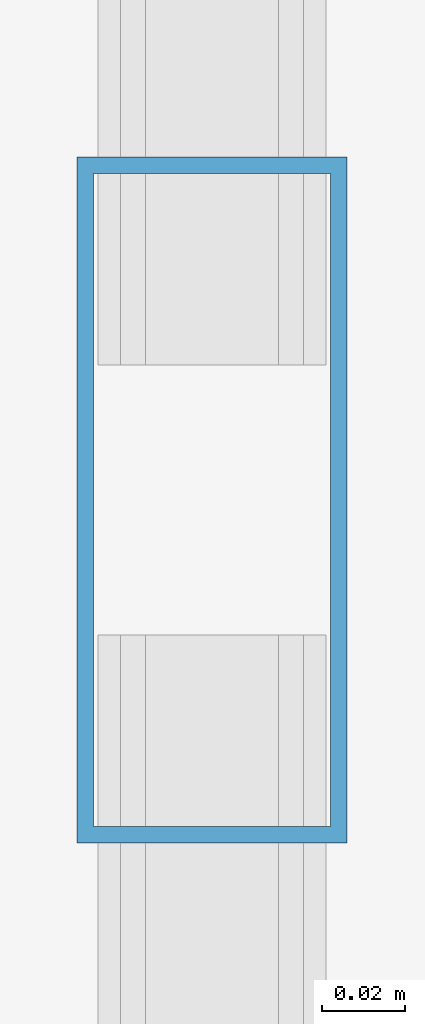
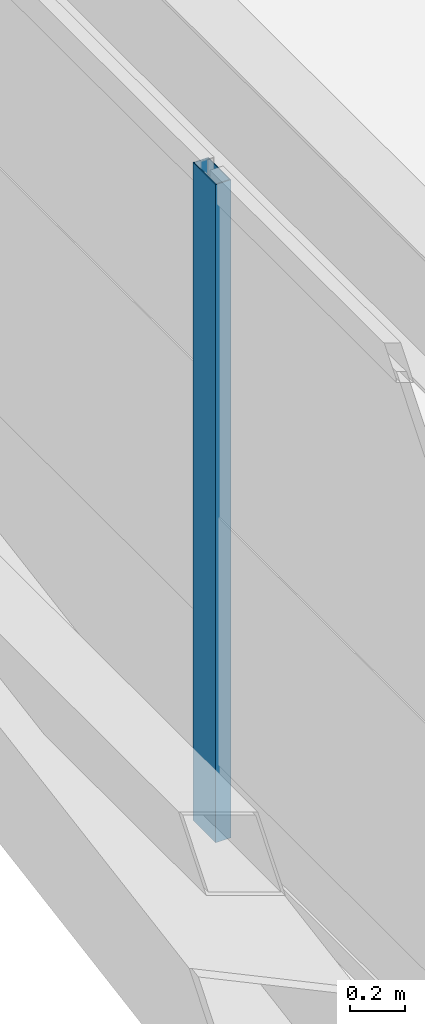
# One storey, part 8 of 58: 1 member, 1 element without a shape of its own.
"""IFC4 building model written with IfcOpenShell, lengths in metres."""

import ifcopenshell
import ifcopenshell.guid

model = None  # the IFC model being written
_history = None  # IfcOwnerHistory: only IFC2X3 demands one
_inside = {}  # id of a spatial element -> (the spatial element, [elements in it])
_under = {}  # id of a project, library or spatial element -> (it, [spatial elements below it])
_declared = {}  # id of a project -> (the project, [libraries it declares])
_typed = {}  # id of a type object -> (the type object, [elements of that type])
_made_of = {}  # id of a material, layer set ... -> (it, [elements and type objects made of it])


def new_model(schema):
    """Start an empty IFC model of exactly this schema.

    Asked for "IFC4X3", IfcOpenShell would pick the latest addendum, in which some entities
    have other attributes; the version numbers below select the first issue.
    IFC2X3 requires an IfcOwnerHistory on every rooted entity: one is made here for all.
    """
    global model, _history
    if schema == "IFC4X3":
        model = ifcopenshell.file(schema_version=(4, 3, 0, 0))
    else:
        model = ifcopenshell.file(schema=schema)
    _inside.clear()
    _under.clear()
    _declared.clear()
    _typed.clear()
    _made_of.clear()
    _history = None
    if model.schema == "IFC2X3":
        org = make("IfcOrganization", Name="unknown")
        user = make(
            "IfcPersonAndOrganization",
            ThePerson=make("IfcPerson", FamilyName="unknown"),
            TheOrganization=org,
        )
        app = make(
            "IfcApplication",
            ApplicationDeveloper=org,
            Version="unknown",
            ApplicationFullName="unknown",
            ApplicationIdentifier="unknown",
        )
        _history = make(
            "IfcOwnerHistory",
            OwningUser=user,
            OwningApplication=app,
            ChangeAction="ADDED",
            CreationDate=0,
        )
    return model


def make(cls, **values):
    """One entity of the class cls with the attributes given. An attribute that is None is left unset."""
    return model.create_entity(
        cls, **{name: value for name, value in values.items() if value is not None}
    )


def rooted(cls, **values):
    """An entity with a GlobalId (a new one), such as an element, a storey or a relation."""
    return make(cls, GlobalId=ifcopenshell.guid.new(), OwnerHistory=_history, **values)


def si_unit(unit_type, name, prefix=None):
    """IfcSIUnit, for example si_unit("LENGTHUNIT", "METRE", prefix="MILLI")."""
    return make("IfcSIUnit", UnitType=unit_type, Prefix=prefix, Name=name)


def assignment(units):
    """IfcUnitAssignment: the units of a project."""
    return None if units is None else make("IfcUnitAssignment", Units=units)


def point(xyz):
    """IfcCartesianPoint."""
    return None if xyz is None else make("IfcCartesianPoint", Coordinates=xyz)


def direction(xyz):
    """IfcDirection."""
    return None if xyz is None else make("IfcDirection", DirectionRatios=xyz)


def frame(location, z_axis=None, x_axis=None):
    """IfcAxis2Placement3D, a coordinate frame: its origin and axes. An axis left out is left unset."""
    return make(
        "IfcAxis2Placement3D",
        Location=point(location),
        Axis=direction(z_axis),
        RefDirection=direction(x_axis),
    )


def frame_2d(location, x_axis=None):
    """IfcAxis2Placement2D, a coordinate frame in the plane: its origin and x axis."""
    return make(
        "IfcAxis2Placement2D", Location=point(location), RefDirection=direction(x_axis)
    )


def origin():
    """The frame at (0, 0, 0) with its axes left unset."""
    return frame((0.0, 0.0, 0.0))


def origin_2d():
    """The frame at (0, 0) in the plane with its x axis left unset."""
    return frame_2d((0.0, 0.0))


def place(relative_to, where):
    """IfcLocalPlacement: puts the frame where relative to a parent placement (None: the world)."""
    return make(
        "IfcLocalPlacement", PlacementRelTo=relative_to, RelativePlacement=where
    )


def context(
    kind, dimensions, precision=None, world=None, true_north=None, identifier=None
):
    """IfcGeometricRepresentationContext, for example the 3D "Model" context."""
    return make(
        "IfcGeometricRepresentationContext",
        ContextIdentifier=identifier,
        ContextType=kind,
        CoordinateSpaceDimension=dimensions,
        Precision=precision,
        WorldCoordinateSystem=world,
        TrueNorth=true_north,
    )


def subcontext(parent, identifier, kind, view, scale=None):
    """IfcGeometricRepresentationSubContext, for example "Body" below "Model"."""
    return make(
        "IfcGeometricRepresentationSubContext",
        ContextIdentifier=identifier,
        ContextType=kind,
        ParentContext=parent,
        TargetScale=scale,
        TargetView=view,
    )


def project(units=None, contexts=None):
    """IfcProject with its units and contexts."""
    return rooted(
        "IfcProject",
        Name="project",
        RepresentationContexts=contexts,
        UnitsInContext=assignment(units),
    )


def spatial(cls, under=None, at=None, **own):
    """A site, building, storey or space (cls), placed at a placement, below another one or the project."""
    s = rooted(cls, ObjectPlacement=at, **own)
    if under is not None:
        _under.setdefault(under.id(), (under, []))[1].append(s)
    return s


def profile(cls, at=None, kind="AREA", **sizes):
    """A parametric profile (cls). Its sizes go by their IFC names, for example OverallWidth=200.0."""
    return make(cls, ProfileType=kind, Position=at, **sizes)


def hollow_rectangle(**sizes):
    """IfcRectangleHollowProfileDef."""
    return profile("IfcRectangleHollowProfileDef", **sizes)


def extrude(swept, where, along, depth):
    """IfcExtrudedAreaSolid: the profile swept, set in the frame where, extruded along a direction by depth."""
    return make(
        "IfcExtrudedAreaSolid",
        SweptArea=swept,
        Position=where,
        ExtrudedDirection=direction(along),
        Depth=depth,
    )


def shape(context_of_items, identifier, shape_type, items):
    """IfcShapeRepresentation: the items that make up one representation, for example the "Body"."""
    return make(
        "IfcShapeRepresentation",
        ContextOfItems=context_of_items,
        RepresentationIdentifier=identifier,
        RepresentationType=shape_type,
        Items=items,
    )


def source(mapping_origin, context_of_items, identifier, shape_type, items):
    """IfcRepresentationMap: a shape defined once, which mapped items show again and again."""
    return make(
        "IfcRepresentationMap",
        MappingOrigin=mapping_origin,
        MappedRepresentation=shape(context_of_items, identifier, shape_type, items),
    )


def transform(
    local_origin,
    x_axis=None,
    y_axis=None,
    z_axis=None,
    scale=None,
    scale2=None,
    scale3=None,
    uniform=True,
):
    """IfcCartesianTransformationOperator3D, or its non-uniform kind. x_axis, y_axis, z_axis: its Axis1, 2, 3."""
    if uniform:
        return make(
            "IfcCartesianTransformationOperator3D",
            Axis1=direction(x_axis),
            Axis2=direction(y_axis),
            LocalOrigin=point(local_origin),
            Scale=scale,
            Axis3=direction(z_axis),
        )
    return make(
        "IfcCartesianTransformationOperator3DnonUniform",
        Axis1=direction(x_axis),
        Axis2=direction(y_axis),
        LocalOrigin=point(local_origin),
        Scale=scale,
        Axis3=direction(z_axis),
        Scale2=scale2,
        Scale3=scale3,
    )


def mapped(mapping_source, mapping_target):
    """IfcMappedItem: shows the shape of a source again, moved by a transform."""
    return make(
        "IfcMappedItem", MappingSource=mapping_source, MappingTarget=mapping_target
    )


def material(Name=None, Category=None):
    """IfcMaterial."""
    return make("IfcMaterial", Name=Name, Category=Category)


def layer(
    of_material, thickness, ventilated=None, Name=None, Category=None, Priority=None
):
    """IfcMaterialLayer: one layer of a wall or slab, of a material (None: an air gap)."""
    return make(
        "IfcMaterialLayer",
        Material=of_material,
        LayerThickness=thickness,
        IsVentilated=ventilated,
        Name=Name,
        Category=Category,
        Priority=Priority,
    )


def layer_set(layers, Name=None):
    """IfcMaterialLayerSet."""
    return make("IfcMaterialLayerSet", MaterialLayers=layers, LayerSetName=Name)


def material_profile(
    of_material, cross_section, Name=None, Category=None, Priority=None
):
    """IfcMaterialProfile: a cross section and its material."""
    return make(
        "IfcMaterialProfile",
        Name=Name,
        Material=of_material,
        Profile=cross_section,
        Priority=Priority,
        Category=Category,
    )


def profile_set(profiles, Name=None, composite=None):
    """IfcMaterialProfileSet."""
    return make(
        "IfcMaterialProfileSet",
        Name=Name,
        MaterialProfiles=profiles,
        CompositeProfile=composite,
    )


def made_of(thing, what):
    """Note that an element or type object is made of a material, layer set ...; save() writes the relation."""
    if what is not None:
        _made_of.setdefault(what.id(), (what, []))[1].append(thing)
    return thing


def type_object(cls, material=None, **own):
    """A type object (cls), such as IfcWallType, which elements share."""
    return made_of(rooted(cls, **own), material)


def element(
    cls,
    number,
    at=None,
    inside=None,
    cuts=None,
    type_object=None,
    material=None,
    context=None,
    identifier="Body",
    shape_type=None,
    held_by="IfcProductDefinitionShape",
    body=None,
    shapes=None,
    **own,
):
    """One element of the class cls, such as IfcWall. Its Tag is "e" and its number.

    at: its placement. inside: the storey or other place that contains it. cuts: it is an
    opening in that element (IfcRelVoidsElement). A single representation is given by context,
    identifier, shape_type and body (its items); several are given by shapes. held_by: the class
    of the entity that holds the representations. save() writes the other relations.
    """
    e = rooted(cls, Tag="e%d" % number, ObjectPlacement=at, **own)
    if body is not None:
        shapes = [shape(context, identifier, shape_type, body)]
    if shapes is not None:
        e.Representation = make(held_by, Representations=shapes)
    if inside is not None:
        _inside.setdefault(inside.id(), (inside, []))[1].append(e)
    if cuts is not None:
        rooted(
            "IfcRelVoidsElement", RelatingBuildingElement=cuts, RelatedOpeningElement=e
        )
    if type_object is not None:
        _typed.setdefault(type_object.id(), (type_object, []))[1].append(e)
    return made_of(e, material)


def aggregate(whole, parts):
    """IfcRelAggregates: a whole, such as a stair, and the parts it consists of."""
    return rooted("IfcRelAggregates", RelatingObject=whole, RelatedObjects=parts)


def save(model, path):
    """Write the relations noted so far, then the file.

    IfcRelAggregates (storeys below a building ...), IfcRelContainedInSpatialStructure (elements
    in a storey), IfcRelDefinesByType, IfcRelAssociatesMaterial and IfcRelDeclares: one each for
    every whole, place, type object, material and project.
    """
    for whole, parts in _under.values():
        aggregate(whole, parts)
    for where, things in _inside.values():
        rooted(
            "IfcRelContainedInSpatialStructure",
            RelatedElements=things,
            RelatingStructure=where,
        )
    for kind, things in _typed.values():
        rooted("IfcRelDefinesByType", RelatedObjects=things, RelatingType=kind)
    for what, things in _made_of.values():
        rooted("IfcRelAssociatesMaterial", RelatedObjects=things, RelatingMaterial=what)
    for by, libraries in _declared.values():
        rooted("IfcRelDeclares", RelatingContext=by, RelatedDefinitions=libraries)
    model.write(path)


model = new_model("IFC4")

# Units and contexts
model_context = context("Model", 3, precision=1e-05, world=origin(), true_north=direction((0.0, 1.0)))
body_context = subcontext(model_context, "Body", "Model", "MODEL_VIEW")
ifc_project = project(units=[si_unit("LENGTHUNIT", "METRE"), si_unit("AREAUNIT", "SQUARE_METRE"), si_unit("VOLUMEUNIT", "CUBIC_METRE"), si_unit("PLANEANGLEUNIT", "RADIAN"), si_unit("MASSUNIT", "GRAM", prefix="KILO")], contexts=[model_context])

# Site, building, storey
site_placement = place(None, origin())
site = spatial("IfcSite", under=ifc_project, at=site_placement, CompositionType="ELEMENT")
building_placement = place(site_placement, origin())
building = spatial("IfcBuilding", under=site, at=building_placement, Name="Taldren Reach Tower", CompositionType="ELEMENT")
storey_placement = place(building_placement, frame((0.0, 0.0, 54.60009765625)))
storey = spatial("IfcBuildingStorey", under=building, at=storey_placement, Name="L16", CompositionType="ELEMENT", Elevation=54.60009765625)

# Curtain wall, member
ifc_material_1 = material(Name="Aluminium and Low-E Glass Unitised System", Category="aluminium")
ifc_layer = layer(ifc_material_1, 0.159912109375)
ifc_layer_set = layer_set([ifc_layer], Name="Aluminium and Low-E Glass Unitised System")
curtain_wall_type = type_object("IfcCurtainWallType", Name="CW-SYS-2", PredefinedType="NOTDEFINED", material=ifc_layer_set)
curtain_wall_placement = place(storey_placement, origin())
curtain_wall = element("IfcCurtainWall", 1, at=curtain_wall_placement, inside=storey, type_object=curtain_wall_type, Name="Unitised curtain wall CW-L16-W", PredefinedType="NOTDEFINED")
ifc_material_2 = material(Name="Anodised Aluminium 6063-T6", Category="aluminium")
ifc_material_profile = material_profile(ifc_material_2, hollow_rectangle(XDim=0.06494140625, YDim=0.1650390625, WallThickness=0.00390625, at=origin_2d()), Name="ALU-165x65x4RHS")
ifc_profile_set = profile_set([ifc_material_profile], Name="Anodised Aluminium 6063-T6")
member_type = type_object("IfcMemberType", Name="CW-MUL-165", PredefinedType="MULLION", material=ifc_profile_set)
shared_shape = source(origin(), body_context, "Body", "SweptSolid", [
    extrude(hollow_rectangle(XDim=0.06494140625, YDim=0.1650390625, WallThickness=0.00390625, at=origin_2d()), origin(), (0.0, 0.0, 1.0), 2.929931640625),
])
member_placement = place(storey_placement, frame((5.139892578125, 11.388916015625, 0.0), z_axis=(0.0, 0.0, 1.0), x_axis=(1.0, 0.0, 0.0)))
member = element("IfcMember", 2, at=member_placement, type_object=member_type, Name="CW-2 mullion 8", PredefinedType="MULLION", context=body_context, shape_type="MappedRepresentation", body=[
    mapped(shared_shape, transform((0.0, 0.0, 0.0), scale=1.0)),
])
aggregate(curtain_wall, [member])

save(model, "model.ifc")
